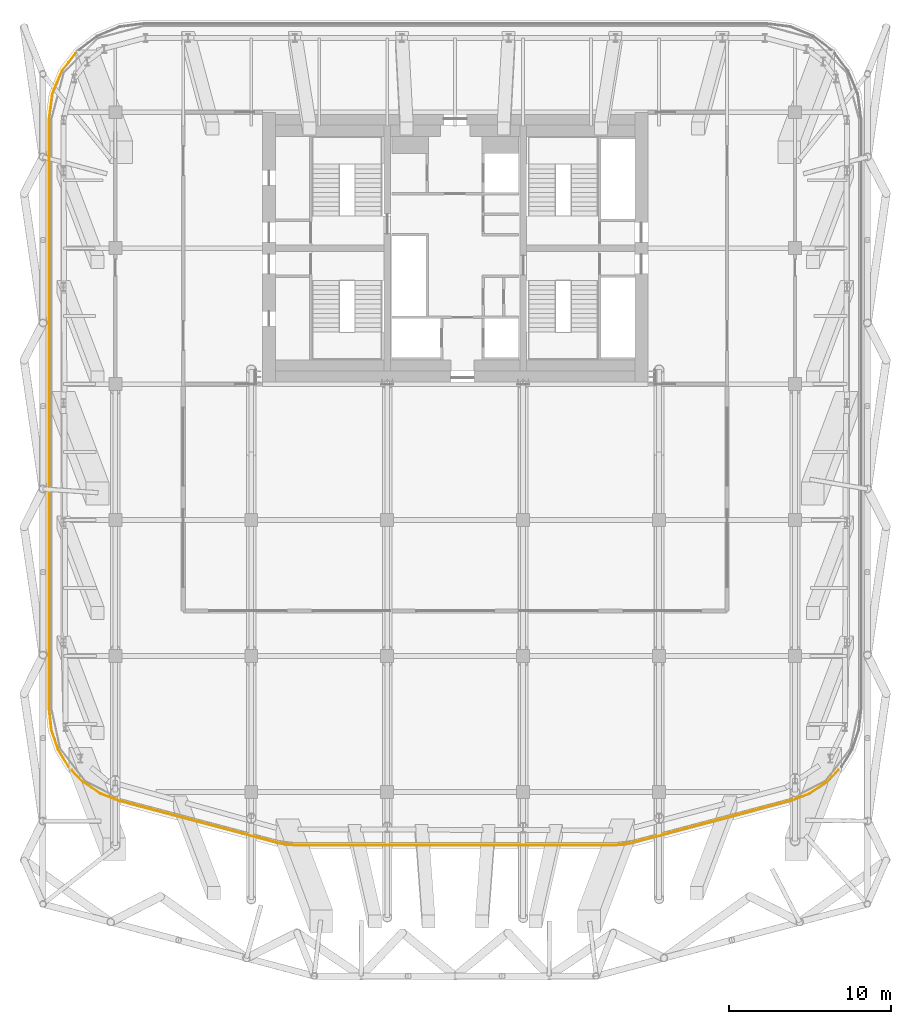
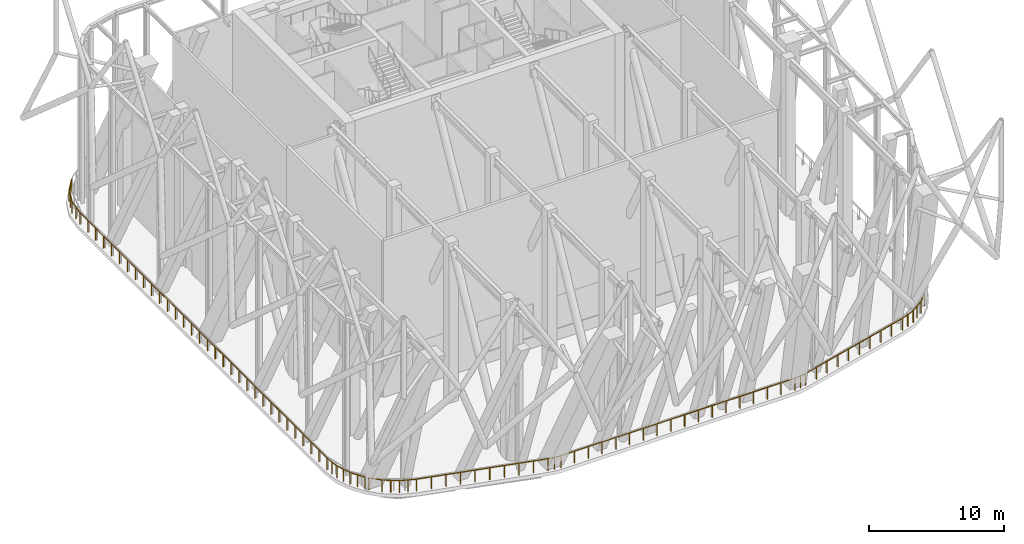
# One storey, part 15 of 20: 3 railings.
"""IFC4 building model written with IfcOpenShell, lengths in metres."""

from ifc_helpers import new_model, si_unit, direction, frame, origin, origin_2d, place, context, subcontext, project, spatial, circle, extrude, material, type_object, element, save


model = new_model("IFC4")

# Units and contexts
model_context = context("Model", 3, precision=1e-05, world=origin(), true_north=direction((0.0, 1.0)))
body_context = subcontext(model_context, "Body", "Model", "MODEL_VIEW")
ifc_project = project(units=[si_unit("LENGTHUNIT", "METRE"), si_unit("AREAUNIT", "SQUARE_METRE"), si_unit("VOLUMEUNIT", "CUBIC_METRE"), si_unit("PLANEANGLEUNIT", "RADIAN"), si_unit("MASSUNIT", "GRAM", prefix="KILO")], contexts=[model_context])

# Site, building, storey
site_placement = place(None, origin())
site = spatial("IfcSite", under=ifc_project, at=site_placement, CompositionType="ELEMENT")
building_placement = place(site_placement, origin())
building = spatial("IfcBuilding", under=site, at=building_placement, Name="Marenta Gate Hotel Tower", CompositionType="ELEMENT")
storey_placement = place(building_placement, frame((0.0, 0.0, 252.5)))
storey = spatial("IfcBuildingStorey", under=building, at=storey_placement, Name="L60", CompositionType="ELEMENT", Elevation=252.5)

# Railings
ifc_material = material(Name="Stainless steel", Category="steel")
railing_type = type_object("IfcRailingType", Name="Guard 1100 stainless balustrade", PredefinedType="GUARDRAIL", material=ifc_material)
railing_1_placement = place(storey_placement, frame((-10.97705078125, -28.34912109375, 0.0)))
element("IfcRailing", 1, at=railing_1_placement, inside=storey, type_object=railing_type, Name="Guard", PredefinedType="GUARDRAIL", context=body_context, shape_type="SweptSolid", body=[
    extrude(circle(Radius=0.02392578125, at=origin_2d()), frame((0.0, 0.0, 1.076171875), z_axis=(-0.966564012807, 0.256425445591, 0.0), x_axis=(-0.256425445591, -0.966564012807, 0.0)), (0.0, 0.0, 1.0), 10.060791015625),
    extrude(circle(Radius=0.02392578125, at=origin_2d()), frame((-9.724365234375, 2.579833984375, 1.076171875), z_axis=(-0.932812602, 0.360361831427, 0.0), x_axis=(-0.360361831427, -0.932812602, 0.0)), (0.0, 0.0, 1.0), 1.289306640625),
    extrude(circle(Radius=0.02392578125, at=origin_2d()), frame((-10.927001953125, 3.04443359375, 1.076171875), z_axis=(-0.83251861772, 0.553997067817, 0.0), x_axis=(-0.553997067817, -0.83251861772, 0.0)), (0.0, 0.0, 1.0), 1.282470703125),
    extrude(circle(Radius=0.02392578125, at=origin_2d()), frame((-11.99462890625, 3.7548828125, 1.076171875), z_axis=(-0.692586229487, 0.721335091843, 0.0), x_axis=(-0.721335091843, -0.692586229487, 0.0)), (0.0, 0.0, 1.0), 1.027587890625),
    extrude(circle(Radius=0.02099609375, at=origin_2d()), origin(), (0.0, 0.0, 1.0), 1.052001953125),
    extrude(circle(Radius=0.02099609375, at=origin_2d()), frame((-1.08056640625, 0.28662109375, 0.0)), (0.0, 0.0, 1.0), 1.052001953125),
    extrude(circle(Radius=0.02099609375, at=origin_2d()), frame((-2.160888671875, 0.5732421875, 0.0)), (0.0, 0.0, 1.0), 1.052001953125),
    extrude(circle(Radius=0.02099609375, at=origin_2d()), frame((-3.241455078125, 0.85986328125, 0.0)), (0.0, 0.0, 1.0), 1.052001953125),
    extrude(circle(Radius=0.02099609375, at=origin_2d()), frame((-4.322021484375, 1.146484375, 0.0)), (0.0, 0.0, 1.0), 1.052001953125),
    extrude(circle(Radius=0.02099609375, at=origin_2d()), frame((-5.40234375, 1.433349609375, 0.0)), (0.0, 0.0, 1.0), 1.052001953125),
    extrude(circle(Radius=0.02099609375, at=origin_2d()), frame((-6.48291015625, 1.719970703125, 0.0)), (0.0, 0.0, 1.0), 1.052001953125),
    extrude(circle(Radius=0.02099609375, at=origin_2d()), frame((-7.5634765625, 2.006591796875, 0.0)), (0.0, 0.0, 1.0), 1.052001953125),
    extrude(circle(Radius=0.02099609375, at=origin_2d()), frame((-8.643798828125, 2.293212890625, 0.0)), (0.0, 0.0, 1.0), 1.052001953125),
    extrude(circle(Radius=0.02099609375, at=origin_2d()), frame((-9.724365234375, 2.579833984375, 0.0)), (0.0, 0.0, 1.0), 1.052001953125),
    extrude(circle(Radius=0.02099609375, at=origin_2d()), frame((-10.32568359375, 2.81201171875, 0.0)), (0.0, 0.0, 1.0), 1.052001953125),
    extrude(circle(Radius=0.02099609375, at=origin_2d()), frame((-10.927001953125, 3.04443359375, 0.0)), (0.0, 0.0, 1.0), 1.052001953125),
    extrude(circle(Radius=0.02099609375, at=origin_2d()), frame((-11.4609375, 3.399658203125, 0.0)), (0.0, 0.0, 1.0), 1.052001953125),
    extrude(circle(Radius=0.02099609375, at=origin_2d()), frame((-11.99462890625, 3.7548828125, 0.0)), (0.0, 0.0, 1.0), 1.052001953125),
    extrude(circle(Radius=0.02099609375, at=origin_2d()), frame((-12.706298828125, 4.49609375, 0.0)), (0.0, 0.0, 1.0), 1.052001953125),
])
railing_2_placement = place(storey_placement, frame((-23.883056640625, -23.631103515625, 0.0)))
element("IfcRailing", 2, at=railing_2_placement, inside=storey, type_object=railing_type, Name="Guard", PredefinedType="GUARDRAIL", context=body_context, shape_type="SweptSolid", body=[
    extrude(circle(Radius=0.02392578125, at=origin_2d()), frame((0.0, 0.0, 1.076171875), z_axis=(-0.519590331328, 0.854415523964, 0.0), x_axis=(-0.854415523964, -0.519590331328, 0.0)), (0.0, 0.0, 1.0), 1.238037109375),
    extrude(circle(Radius=0.02392578125, at=origin_2d()), frame((-0.643310546875, 1.057861328125, 1.076171875), z_axis=(-0.322104084184, 0.946704261611, 0.0), x_axis=(-0.946704261611, -0.322104084184, 0.0)), (0.0, 0.0, 1.0), 1.282470703125),
    extrude(circle(Radius=0.02392578125, at=origin_2d()), frame((-1.056396484375, 2.27197265625, 1.076171875), z_axis=(-0.109080390249, 0.994032931277, 0.0), x_axis=(-0.994032931277, -0.109080390249, 0.0)), (0.0, 0.0, 1.0), 1.289306640625),
    extrude(circle(Radius=0.02392578125, at=origin_2d()), frame((-1.197021484375, 3.553466796875, 1.076171875), z_axis=(0.0, 1.0, 0.0), x_axis=(-1.0, 0.0, 0.0)), (0.0, 0.0, 1.0), 36.4697265625),
    extrude(circle(Radius=0.02392578125, at=origin_2d()), frame((-1.197021484375, 40.023193359375, 1.076171875), z_axis=(0.130556852376, 0.991440824405, 0.0), x_axis=(-0.991440824405, 0.130556852376, 0.0)), (0.0, 0.0, 1.0), 1.542724609375),
    extrude(circle(Radius=0.02392578125, at=origin_2d()), frame((-0.99560546875, 41.552734375, 1.076171875), z_axis=(0.382581272365, 0.923921841952, 0.0), x_axis=(-0.923921841952, 0.382581272365, 0.0)), (0.0, 0.0, 1.0), 1.53466796875),
    extrude(circle(Radius=0.02392578125, at=origin_2d()), frame((-0.408447265625, 42.970703125, 1.076171875), z_axis=(0.60886823322, 0.793271375115, 0.0), x_axis=(-0.793271375115, 0.60886823322, 0.0)), (0.0, 0.0, 1.0), 1.373046875),
    extrude(circle(Radius=0.02099609375, at=origin_2d()), origin(), (0.0, 0.0, 1.0), 1.052001953125),
    extrude(circle(Radius=0.02099609375, at=origin_2d()), frame((-0.32177734375, 0.52880859375, 0.0)), (0.0, 0.0, 1.0), 1.052001953125),
    extrude(circle(Radius=0.02099609375, at=origin_2d()), frame((-0.643310546875, 1.057861328125, 0.0)), (0.0, 0.0, 1.0), 1.052001953125),
    extrude(circle(Radius=0.02099609375, at=origin_2d()), frame((-0.849853515625, 1.6650390625, 0.0)), (0.0, 0.0, 1.0), 1.052001953125),
    extrude(circle(Radius=0.02099609375, at=origin_2d()), frame((-1.056396484375, 2.27197265625, 0.0)), (0.0, 0.0, 1.0), 1.052001953125),
    extrude(circle(Radius=0.02099609375, at=origin_2d()), frame((-1.126708984375, 2.91259765625, 0.0)), (0.0, 0.0, 1.0), 1.052001953125),
    extrude(circle(Radius=0.02099609375, at=origin_2d()), frame((-1.197021484375, 3.553466796875, 0.0)), (0.0, 0.0, 1.0), 1.052001953125),
    extrude(circle(Radius=0.02099609375, at=origin_2d()), frame((-1.197021484375, 4.72998046875, 0.0)), (0.0, 0.0, 1.0), 1.052001953125),
    extrude(circle(Radius=0.02099609375, at=origin_2d()), frame((-1.197021484375, 5.90625, 0.0)), (0.0, 0.0, 1.0), 1.052001953125),
    extrude(circle(Radius=0.02099609375, at=origin_2d()), frame((-1.197021484375, 7.082763671875, 0.0)), (0.0, 0.0, 1.0), 1.052001953125),
    extrude(circle(Radius=0.02099609375, at=origin_2d()), frame((-1.197021484375, 8.25927734375, 0.0)), (0.0, 0.0, 1.0), 1.052001953125),
    extrude(circle(Radius=0.02099609375, at=origin_2d()), frame((-1.197021484375, 9.435791015625, 0.0)), (0.0, 0.0, 1.0), 1.052001953125),
    extrude(circle(Radius=0.02099609375, at=origin_2d()), frame((-1.197021484375, 10.612060546875, 0.0)), (0.0, 0.0, 1.0), 1.052001953125),
    extrude(circle(Radius=0.02099609375, at=origin_2d()), frame((-1.197021484375, 11.78857421875, 0.0)), (0.0, 0.0, 1.0), 1.052001953125),
    extrude(circle(Radius=0.02099609375, at=origin_2d()), frame((-1.197021484375, 12.965087890625, 0.0)), (0.0, 0.0, 1.0), 1.052001953125),
    extrude(circle(Radius=0.02099609375, at=origin_2d()), frame((-1.197021484375, 14.141357421875, 0.0)), (0.0, 0.0, 1.0), 1.052001953125),
    extrude(circle(Radius=0.02099609375, at=origin_2d()), frame((-1.197021484375, 15.31787109375, 0.0)), (0.0, 0.0, 1.0), 1.052001953125),
    extrude(circle(Radius=0.02099609375, at=origin_2d()), frame((-1.197021484375, 16.494384765625, 0.0)), (0.0, 0.0, 1.0), 1.052001953125),
    extrude(circle(Radius=0.02099609375, at=origin_2d()), frame((-1.197021484375, 17.6708984375, 0.0)), (0.0, 0.0, 1.0), 1.052001953125),
    extrude(circle(Radius=0.02099609375, at=origin_2d()), frame((-1.197021484375, 18.84716796875, 0.0)), (0.0, 0.0, 1.0), 1.052001953125),
    extrude(circle(Radius=0.02099609375, at=origin_2d()), frame((-1.197021484375, 20.023681640625, 0.0)), (0.0, 0.0, 1.0), 1.052001953125),
    extrude(circle(Radius=0.02099609375, at=origin_2d()), frame((-1.197021484375, 21.2001953125, 0.0)), (0.0, 0.0, 1.0), 1.052001953125),
    extrude(circle(Radius=0.02099609375, at=origin_2d()), frame((-1.197021484375, 22.37646484375, 0.0)), (0.0, 0.0, 1.0), 1.052001953125),
    extrude(circle(Radius=0.02099609375, at=origin_2d()), frame((-1.197021484375, 23.552978515625, 0.0)), (0.0, 0.0, 1.0), 1.052001953125),
    extrude(circle(Radius=0.02099609375, at=origin_2d()), frame((-1.197021484375, 24.7294921875, 0.0)), (0.0, 0.0, 1.0), 1.052001953125),
    extrude(circle(Radius=0.02099609375, at=origin_2d()), frame((-1.197021484375, 25.90576171875, 0.0)), (0.0, 0.0, 1.0), 1.052001953125),
    extrude(circle(Radius=0.02099609375, at=origin_2d()), frame((-1.197021484375, 27.082275390625, 0.0)), (0.0, 0.0, 1.0), 1.052001953125),
    extrude(circle(Radius=0.02099609375, at=origin_2d()), frame((-1.197021484375, 28.2587890625, 0.0)), (0.0, 0.0, 1.0), 1.052001953125),
    extrude(circle(Radius=0.02099609375, at=origin_2d()), frame((-1.197021484375, 29.435302734375, 0.0)), (0.0, 0.0, 1.0), 1.052001953125),
    extrude(circle(Radius=0.02099609375, at=origin_2d()), frame((-1.197021484375, 30.611572265625, 0.0)), (0.0, 0.0, 1.0), 1.052001953125),
    extrude(circle(Radius=0.02099609375, at=origin_2d()), frame((-1.197021484375, 31.7880859375, 0.0)), (0.0, 0.0, 1.0), 1.052001953125),
    extrude(circle(Radius=0.02099609375, at=origin_2d()), frame((-1.197021484375, 32.964599609375, 0.0)), (0.0, 0.0, 1.0), 1.052001953125),
    extrude(circle(Radius=0.02099609375, at=origin_2d()), frame((-1.197021484375, 34.140869140625, 0.0)), (0.0, 0.0, 1.0), 1.052001953125),
    extrude(circle(Radius=0.02099609375, at=origin_2d()), frame((-1.197021484375, 35.3173828125, 0.0)), (0.0, 0.0, 1.0), 1.052001953125),
    extrude(circle(Radius=0.02099609375, at=origin_2d()), frame((-1.197021484375, 36.493896484375, 0.0)), (0.0, 0.0, 1.0), 1.052001953125),
    extrude(circle(Radius=0.02099609375, at=origin_2d()), frame((-1.197021484375, 37.67041015625, 0.0)), (0.0, 0.0, 1.0), 1.052001953125),
    extrude(circle(Radius=0.02099609375, at=origin_2d()), frame((-1.197021484375, 38.8466796875, 0.0)), (0.0, 0.0, 1.0), 1.052001953125),
    extrude(circle(Radius=0.02099609375, at=origin_2d()), frame((-1.197021484375, 40.023193359375, 0.0)), (0.0, 0.0, 1.0), 1.052001953125),
    extrude(circle(Radius=0.02099609375, at=origin_2d()), frame((-1.09619140625, 40.7880859375, 0.0)), (0.0, 0.0, 1.0), 1.052001953125),
    extrude(circle(Radius=0.02099609375, at=origin_2d()), frame((-0.99560546875, 41.552734375, 0.0)), (0.0, 0.0, 1.0), 1.052001953125),
    extrude(circle(Radius=0.02099609375, at=origin_2d()), frame((-0.7021484375, 42.26171875, 0.0)), (0.0, 0.0, 1.0), 1.052001953125),
    extrude(circle(Radius=0.02099609375, at=origin_2d()), frame((-0.408447265625, 42.970703125, 0.0)), (0.0, 0.0, 1.0), 1.052001953125),
    extrude(circle(Radius=0.02099609375, at=origin_2d()), frame((0.009521484375, 43.51513671875, 0.0)), (0.0, 0.0, 1.0), 1.052001953125),
    extrude(circle(Radius=0.02099609375, at=origin_2d()), frame((0.427490234375, 44.059814453125, 0.0)), (0.0, 0.0, 1.0), 1.052001953125),
])
railing_3_placement = place(storey_placement, frame((23.683349609375, -23.85302734375, 0.0)))
element("IfcRailing", 3, at=railing_3_placement, inside=storey, type_object=railing_type, Name="Guard", PredefinedType="GUARDRAIL", context=body_context, shape_type="SweptSolid", body=[
    extrude(circle(Radius=0.02392578125, at=origin_2d()), frame((0.0, 0.0, 1.076171875), z_axis=(-0.692586229487, -0.721335091843, 0.0), x_axis=(0.721335091843, -0.692586229487, 0.0)), (0.0, 0.0, 1.0), 1.027587890625),
    extrude(circle(Radius=0.02392578125, at=origin_2d()), frame((-0.711669921875, -0.7412109375, 1.076171875), z_axis=(-0.83251861772, -0.553997067817, 0.0), x_axis=(0.553997067817, -0.83251861772, 0.0)), (0.0, 0.0, 1.0), 1.282470703125),
    extrude(circle(Radius=0.02392578125, at=origin_2d()), frame((-1.779296875, -1.45166015625, 1.076171875), z_axis=(-0.932812602, -0.360361831427, 0.0), x_axis=(0.360361831427, -0.932812602, 0.0)), (0.0, 0.0, 1.0), 1.289306640625),
    extrude(circle(Radius=0.02392578125, at=origin_2d()), frame((-2.98193359375, -1.916259765625, 1.076171875), z_axis=(-0.966564012807, -0.256425445591, 0.0), x_axis=(0.256425445591, -0.966564012807, 0.0)), (0.0, 0.0, 1.0), 10.060791015625),
    extrude(circle(Radius=0.02392578125, at=origin_2d()), frame((-12.706298828125, -4.49609375, 1.076171875), z_axis=(-0.981059572261, -0.193706261321, 0.0), x_axis=(0.193706261321, -0.981059572261, 0.0)), (0.0, 0.0, 1.0), 0.506591796875),
    extrude(circle(Radius=0.02392578125, at=origin_2d()), frame((-13.203369140625, -4.59423828125, 1.076171875), z_axis=(-0.997911297522, -0.064599088825, 0.0), x_axis=(0.064599088825, -0.997911297522, 0.0)), (0.0, 0.0, 1.0), 0.50634765625),
    extrude(circle(Radius=0.02392578125, at=origin_2d()), frame((-13.708740234375, -4.626953125, 1.076171875), z_axis=(-1.0, 0.0, 0.0), x_axis=(0.0, -1.0, 0.0)), (0.0, 0.0, 1.0), 19.94921875),
    extrude(circle(Radius=0.02392578125, at=origin_2d()), frame((-33.657958984375, -4.626953125, 1.076171875), z_axis=(-0.997911297522, 0.064599088825, 0.0), x_axis=(-0.064599088825, -0.997911297522, 0.0)), (0.0, 0.0, 1.0), 0.50634765625),
    extrude(circle(Radius=0.02392578125, at=origin_2d()), frame((-34.163330078125, -4.59423828125, 1.076171875), z_axis=(-0.981059572261, 0.193706261321, 0.0), x_axis=(-0.193706261321, -0.981059572261, 0.0)), (0.0, 0.0, 1.0), 0.506591796875),
    extrude(circle(Radius=0.02099609375, at=origin_2d()), origin(), (0.0, 0.0, 1.0), 1.052001953125),
    extrude(circle(Radius=0.02099609375, at=origin_2d()), frame((-0.711669921875, -0.7412109375, 0.0)), (0.0, 0.0, 1.0), 1.052001953125),
    extrude(circle(Radius=0.02099609375, at=origin_2d()), frame((-1.24560546875, -1.096435546875, 0.0)), (0.0, 0.0, 1.0), 1.052001953125),
    extrude(circle(Radius=0.02099609375, at=origin_2d()), frame((-1.779296875, -1.45166015625, 0.0)), (0.0, 0.0, 1.0), 1.052001953125),
    extrude(circle(Radius=0.02099609375, at=origin_2d()), frame((-2.380615234375, -1.68408203125, 0.0)), (0.0, 0.0, 1.0), 1.052001953125),
    extrude(circle(Radius=0.02099609375, at=origin_2d()), frame((-2.98193359375, -1.916259765625, 0.0)), (0.0, 0.0, 1.0), 1.052001953125),
    extrude(circle(Radius=0.02099609375, at=origin_2d()), frame((-4.0625, -2.202880859375, 0.0)), (0.0, 0.0, 1.0), 1.052001953125),
    extrude(circle(Radius=0.02099609375, at=origin_2d()), frame((-5.142822265625, -2.489501953125, 0.0)), (0.0, 0.0, 1.0), 1.052001953125),
    extrude(circle(Radius=0.02099609375, at=origin_2d()), frame((-6.223388671875, -2.776123046875, 0.0)), (0.0, 0.0, 1.0), 1.052001953125),
    extrude(circle(Radius=0.02099609375, at=origin_2d()), frame((-7.303955078125, -3.062744140625, 0.0)), (0.0, 0.0, 1.0), 1.052001953125),
    extrude(circle(Radius=0.02099609375, at=origin_2d()), frame((-8.38427734375, -3.349609375, 0.0)), (0.0, 0.0, 1.0), 1.052001953125),
    extrude(circle(Radius=0.02099609375, at=origin_2d()), frame((-9.46484375, -3.63623046875, 0.0)), (0.0, 0.0, 1.0), 1.052001953125),
    extrude(circle(Radius=0.02099609375, at=origin_2d()), frame((-10.54541015625, -3.9228515625, 0.0)), (0.0, 0.0, 1.0), 1.052001953125),
    extrude(circle(Radius=0.02099609375, at=origin_2d()), frame((-11.625732421875, -4.20947265625, 0.0)), (0.0, 0.0, 1.0), 1.052001953125),
    extrude(circle(Radius=0.02099609375, at=origin_2d()), frame((-12.706298828125, -4.49609375, 0.0)), (0.0, 0.0, 1.0), 1.052001953125),
    extrude(circle(Radius=0.02099609375, at=origin_2d()), frame((-13.203369140625, -4.59423828125, 0.0)), (0.0, 0.0, 1.0), 1.052001953125),
    extrude(circle(Radius=0.02099609375, at=origin_2d()), frame((-13.708740234375, -4.626953125, 0.0)), (0.0, 0.0, 1.0), 1.052001953125),
    extrude(circle(Radius=0.02099609375, at=origin_2d()), frame((-14.88232421875, -4.626953125, 0.0)), (0.0, 0.0, 1.0), 1.052001953125),
    extrude(circle(Radius=0.02099609375, at=origin_2d()), frame((-16.0556640625, -4.626953125, 0.0)), (0.0, 0.0, 1.0), 1.052001953125),
    extrude(circle(Radius=0.02099609375, at=origin_2d()), frame((-17.229248046875, -4.626953125, 0.0)), (0.0, 0.0, 1.0), 1.052001953125),
    extrude(circle(Radius=0.02099609375, at=origin_2d()), frame((-18.402587890625, -4.626953125, 0.0)), (0.0, 0.0, 1.0), 1.052001953125),
    extrude(circle(Radius=0.02099609375, at=origin_2d()), frame((-19.576171875, -4.626953125, 0.0)), (0.0, 0.0, 1.0), 1.052001953125),
    extrude(circle(Radius=0.02099609375, at=origin_2d()), frame((-20.749755859375, -4.626953125, 0.0)), (0.0, 0.0, 1.0), 1.052001953125),
    extrude(circle(Radius=0.02099609375, at=origin_2d()), frame((-21.923095703125, -4.626953125, 0.0)), (0.0, 0.0, 1.0), 1.052001953125),
    extrude(circle(Radius=0.02099609375, at=origin_2d()), frame((-23.0966796875, -4.626953125, 0.0)), (0.0, 0.0, 1.0), 1.052001953125),
    extrude(circle(Radius=0.02099609375, at=origin_2d()), frame((-24.27001953125, -4.626953125, 0.0)), (0.0, 0.0, 1.0), 1.052001953125),
    extrude(circle(Radius=0.02099609375, at=origin_2d()), frame((-25.443603515625, -4.626953125, 0.0)), (0.0, 0.0, 1.0), 1.052001953125),
    extrude(circle(Radius=0.02099609375, at=origin_2d()), frame((-26.616943359375, -4.626953125, 0.0)), (0.0, 0.0, 1.0), 1.052001953125),
    extrude(circle(Radius=0.02099609375, at=origin_2d()), frame((-27.79052734375, -4.626953125, 0.0)), (0.0, 0.0, 1.0), 1.052001953125),
    extrude(circle(Radius=0.02099609375, at=origin_2d()), frame((-28.964111328125, -4.626953125, 0.0)), (0.0, 0.0, 1.0), 1.052001953125),
    extrude(circle(Radius=0.02099609375, at=origin_2d()), frame((-30.137451171875, -4.626953125, 0.0)), (0.0, 0.0, 1.0), 1.052001953125),
    extrude(circle(Radius=0.02099609375, at=origin_2d()), frame((-31.31103515625, -4.626953125, 0.0)), (0.0, 0.0, 1.0), 1.052001953125),
    extrude(circle(Radius=0.02099609375, at=origin_2d()), frame((-32.484375, -4.626953125, 0.0)), (0.0, 0.0, 1.0), 1.052001953125),
    extrude(circle(Radius=0.02099609375, at=origin_2d()), frame((-33.657958984375, -4.626953125, 0.0)), (0.0, 0.0, 1.0), 1.052001953125),
    extrude(circle(Radius=0.02099609375, at=origin_2d()), frame((-34.163330078125, -4.59423828125, 0.0)), (0.0, 0.0, 1.0), 1.052001953125),
    extrude(circle(Radius=0.02099609375, at=origin_2d()), frame((-34.660400390625, -4.49609375, 0.0)), (0.0, 0.0, 1.0), 1.052001953125),
])

save(model, "model.ifc")
